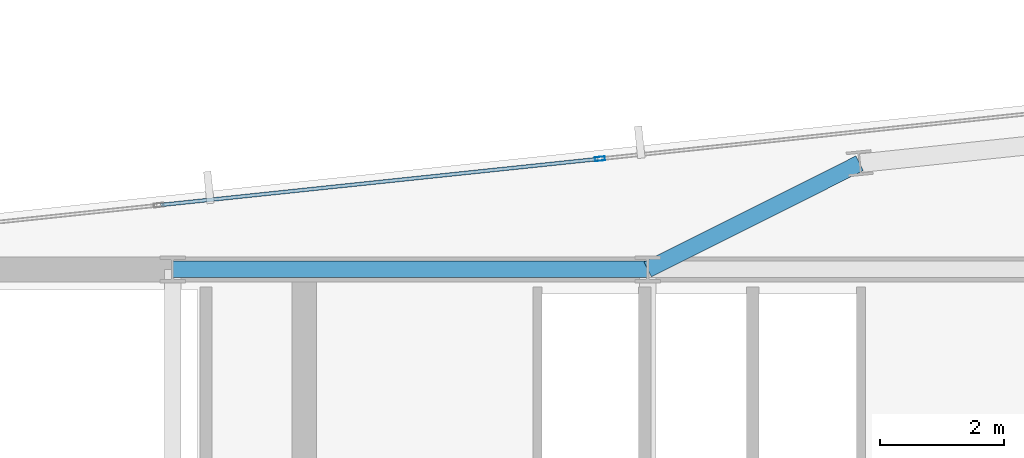
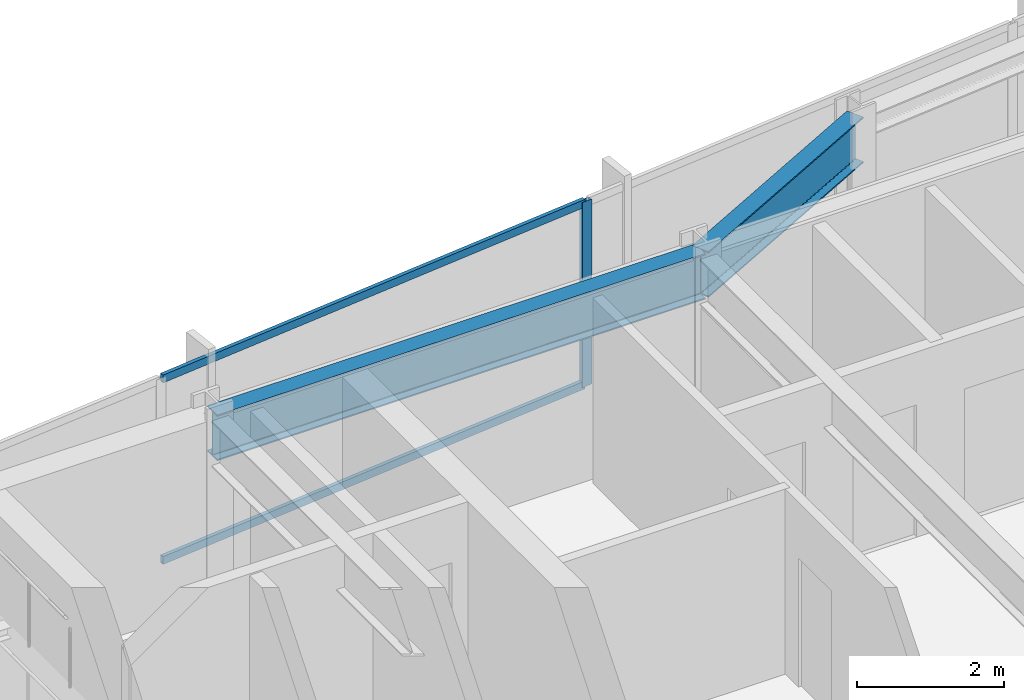
# One storey, part 21 of 33: 3 members, 2 beams, 1 element without a shape of its own.
"""IFC4 building model written with IfcOpenShell, lengths in metres."""

from ifc_helpers import new_model, si_unit, direction, frame, origin, origin_2d, place, context, subcontext, project, spatial, hollow_rectangle, i_section, extrude, material, material_profile, profile_set, type_object, element, aggregate, save


model = new_model("IFC4")

# Units and contexts
model_context = context("Model", 3, precision=1e-05, world=origin(), true_north=direction((0.0, 1.0)))
body_context = subcontext(model_context, "Body", "Model", "MODEL_VIEW")
ifc_project = project(units=[si_unit("LENGTHUNIT", "METRE"), si_unit("AREAUNIT", "SQUARE_METRE"), si_unit("VOLUMEUNIT", "CUBIC_METRE"), si_unit("PLANEANGLEUNIT", "RADIAN"), si_unit("MASSUNIT", "GRAM", prefix="KILO")], contexts=[model_context])

# Site, building, storey
site_placement = place(None, origin())
site = spatial("IfcSite", under=ifc_project, at=site_placement, CompositionType="ELEMENT")
building_placement = place(site_placement, origin())
building = spatial("IfcBuilding", under=site, at=building_placement, Name="Yelkora Congress Tower", CompositionType="ELEMENT")
storey_placement = place(building_placement, frame((0.0, 0.0, 227.60009765625)))
storey = spatial("IfcBuildingStorey", under=building, at=storey_placement, Name="L63", CompositionType="ELEMENT", Elevation=227.60009765625)

# Beams
ifc_material_1 = material(Name="Steel S355J2", Category="steel")
ifc_material_profile_1 = material_profile(ifc_material_1, i_section(OverallWidth=0.26708984375, OverallDepth=0.761962890625, WebThickness=0.014404296875, FlangeThickness=0.021484375, FilletRadius=0.01708984375, at=origin_2d()), Name="IPE 750x173")
ifc_profile_set_1 = profile_set([ifc_material_profile_1], Name="Steel S355J2")
beam_type = type_object("IfcBeamType", Name="BM-GIRD-IPE750", PredefinedType="BEAM", material=ifc_profile_set_1)
beam_1_placement = place(storey_placement, frame((30.719970703125, 46.199951171875, 2.698974609375), z_axis=(1.0, 0.0, 0.0), x_axis=(0.0, 1.0, 0.0)))
element("IfcBeam", 1, at=beam_1_placement, inside=storey, type_object=beam_type, Name="L63 Core North Girder 3", PredefinedType="BEAM", context=body_context, shape_type="SweptSolid", body=[
    extrude(i_section(OverallWidth=0.26708984375, OverallDepth=0.761962890625, WebThickness=0.014404296875, FlangeThickness=0.021484375, FilletRadius=0.01708984375, at=origin_2d()), origin(), (0.0, 0.0, 1.0), 7.679931640625),
])
beam_2_placement = place(storey_placement, frame((41.828125, 47.91748046875, 2.698974609375), z_axis=(-0.894070348256, -0.447926570288, 0.0), x_axis=(0.447926570288, -0.894070348256, 0.0)))
element("IfcBeam", 2, at=beam_2_placement, inside=storey, type_object=beam_type, Name="L63 Primary Frame Girder N04", PredefinedType="BEAM", context=body_context, shape_type="SweptSolid", body=[
    extrude(i_section(OverallWidth=0.26708984375, OverallDepth=0.761962890625, WebThickness=0.014404296875, FlangeThickness=0.021484375, FilletRadius=0.01708984375, at=origin_2d()), origin(), (0.0, 0.0, 1.0), 3.83447265625),
])

# Curtain wall, members
ifc_material_2 = material(Name="Anodised aluminium and insulated glass", Category="aluminium")
curtain_wall_type = type_object("IfcCurtainWallType", Name="CW-SYS-B4", PredefinedType="NOTDEFINED", material=ifc_material_2)
curtain_wall_placement = place(storey_placement, origin())
curtain_wall = element("IfcCurtainWall", 3, at=curtain_wall_placement, inside=storey, type_object=curtain_wall_type, Name="L63 Unitised Curtain Wall 10 (3)", PredefinedType="NOTDEFINED")
ifc_material_3 = material(Name="Anodised aluminium 6063-T6", Category="aluminium")
ifc_material_profile_2 = material_profile(ifc_material_3, hollow_rectangle(XDim=0.06494140625, YDim=0.159912109375, WallThickness=0.00390625, at=origin_2d()), Name="ALU 65x160x4")
ifc_profile_set_2 = profile_set([ifc_material_profile_2], Name="Anodised aluminium 6063-T6")
member_type_1 = type_object("IfcMemberType", Name="MEM-ML-B4", PredefinedType="MULLION", material=ifc_profile_set_2)
member_1_placement = place(storey_placement, frame((37.62744140625, 47.98876953125, 0.0), z_axis=(0.0, 0.0, 1.0), x_axis=(-0.104527724021, 0.994521973066, 0.0)))
member_1 = element("IfcMember", 4, at=member_1_placement, type_object=member_type_1, Name="CW-B4 mullion 3", PredefinedType="MULLION", context=body_context, shape_type="SweptSolid", body=[
    extrude(hollow_rectangle(XDim=0.06494140625, YDim=0.159912109375, WallThickness=0.00390625, at=origin_2d()), origin(), (0.0, 0.0, 1.0), 3.079833984375),
])
ifc_material_profile_3 = material_profile(ifc_material_3, hollow_rectangle(XDim=0.06005859375, YDim=0.1298828125, WallThickness=0.00390625, at=origin_2d()), Name="ALU 60x130x4")
ifc_profile_set_3 = profile_set([ifc_material_profile_3], Name="Anodised aluminium 6063-T6")
member_type_2 = type_object("IfcMemberType", Name="MEM-TR-B4", PredefinedType="USERDEFINED", material=ifc_profile_set_3)
member_2_placement = place(storey_placement, frame((30.529052734375, 47.24267578125, 0.02978515625), z_axis=(0.99452200925, 0.104527379751, 0.0), x_axis=(-0.104527379751, 0.99452200925, 0.0)))
member_2 = element("IfcMember", 5, at=member_2_placement, type_object=member_type_2, Name="CW-B4 transom 2.1", ObjectType="TRANSOM", PredefinedType="USERDEFINED", context=body_context, shape_type="SweptSolid", body=[
    extrude(hollow_rectangle(XDim=0.06005859375, YDim=0.1298828125, WallThickness=0.00390625, at=origin_2d()), origin(), (0.0, 0.0, 1.0), 7.10498046875),
])
member_3_placement = place(storey_placement, frame((30.529052734375, 47.24267578125, 3.0498046875), z_axis=(0.99452200925, 0.104527379751, 0.0), x_axis=(-0.104527379751, 0.99452200925, 0.0)))
member_3 = element("IfcMember", 6, at=member_3_placement, type_object=member_type_2, Name="CW-B4 transom 2.2", ObjectType="TRANSOM", PredefinedType="USERDEFINED", context=body_context, shape_type="SweptSolid", body=[
    extrude(hollow_rectangle(XDim=0.06005859375, YDim=0.1298828125, WallThickness=0.00390625, at=origin_2d()), origin(), (0.0, 0.0, 1.0), 7.10498046875),
])
aggregate(curtain_wall, [member_1, member_2, member_3])

save(model, "model.ifc")
